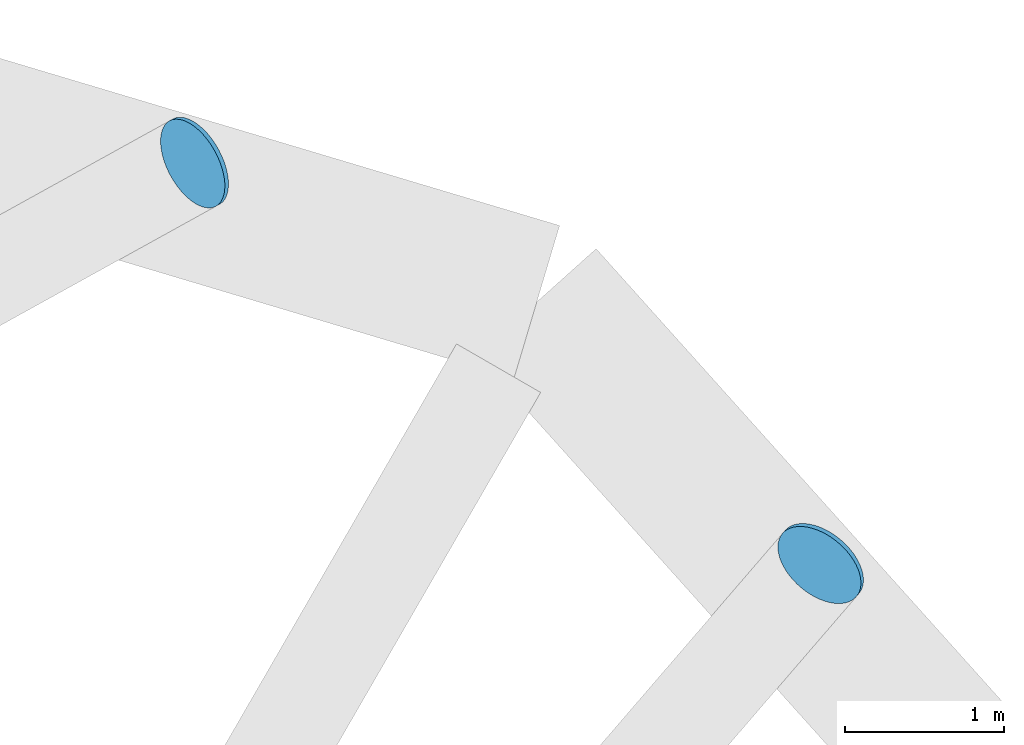
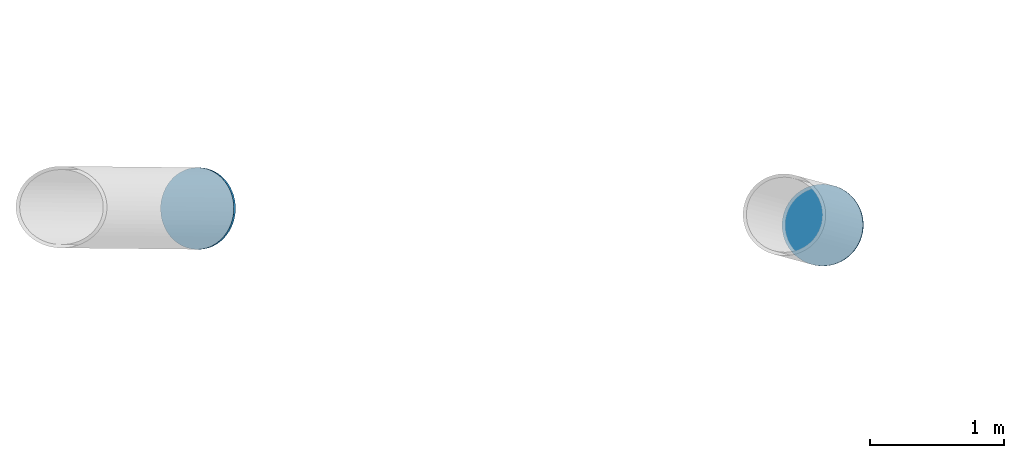
# One storey, part 20 of 22: 2 discrete accessories.
"""IFC4 building model written with IfcOpenShell, lengths in metres."""

from ifc_helpers import new_model, si_unit, direction, frame, origin, origin_2d, place, context, subcontext, project, spatial, circle, extrude, material, layer, layer_set, type_object, element, save


model = new_model("IFC4")

# Units and contexts
model_context = context("Model", 3, precision=1e-05, world=origin(), true_north=direction((0.0, 1.0)))
body_context = subcontext(model_context, "Body", "Model", "MODEL_VIEW")
ifc_project = project(units=[si_unit("LENGTHUNIT", "METRE"), si_unit("AREAUNIT", "SQUARE_METRE"), si_unit("VOLUMEUNIT", "CUBIC_METRE"), si_unit("PLANEANGLEUNIT", "RADIAN"), si_unit("MASSUNIT", "GRAM", prefix="KILO")], contexts=[model_context])

# Site, building, storey
site_placement = place(None, origin())
site = spatial("IfcSite", under=ifc_project, at=site_placement, CompositionType="ELEMENT")
building_placement = place(site_placement, origin())
building = spatial("IfcBuilding", under=site, at=building_placement, Name="Nagisa Residences", CompositionType="ELEMENT")
storey_placement = place(building_placement, frame((0.0, 0.0, 310.300048828125)))
storey = spatial("IfcBuildingStorey", under=building, at=storey_placement, Name="L77", CompositionType="ELEMENT", Elevation=310.300048828125)

# Discrete accessories
ifc_material = material(Name="Steel ASTM A572 Gr 50", Category="steel")
ifc_layer = layer(ifc_material, 0.030029296875)
ifc_layer_set = layer_set([ifc_layer], Name="Node plate")
discrete_accessory_type = type_object("IfcDiscreteAccessoryType", Name="Node plate", PredefinedType="ANCHORPLATE", material=ifc_layer_set)
for number, where, z_axis, x_axis, name in (
    (1, (13.532958984375, 21.42041015625, -6.949951171875), (0.51915978302, 0.608390370727, -0.600278499117), (-0.760686645348, 0.649119270697, 0.0), "Node plate PK1"),
    (2, (9.6015625, 23.938720703125, -6.949951171875), (0.749678992835, 0.407434235236, -0.521515821102), (-0.47751332042, 0.878624509573, 0.0), "Node plate PK2"),
):
    element("IfcDiscreteAccessory", number, at=place(storey_placement, frame(where, z_axis=z_axis, x_axis=x_axis)), inside=storey, type_object=discrete_accessory_type, Name=name, PredefinedType="ANCHORPLATE", context=body_context, shape_type="SweptSolid", body=[
        extrude(circle(Radius=0.304931640625, at=origin_2d()), origin(), (0.0, 0.0, 1.0), 0.030029296875),
    ])

save(model, "model.ifc")
